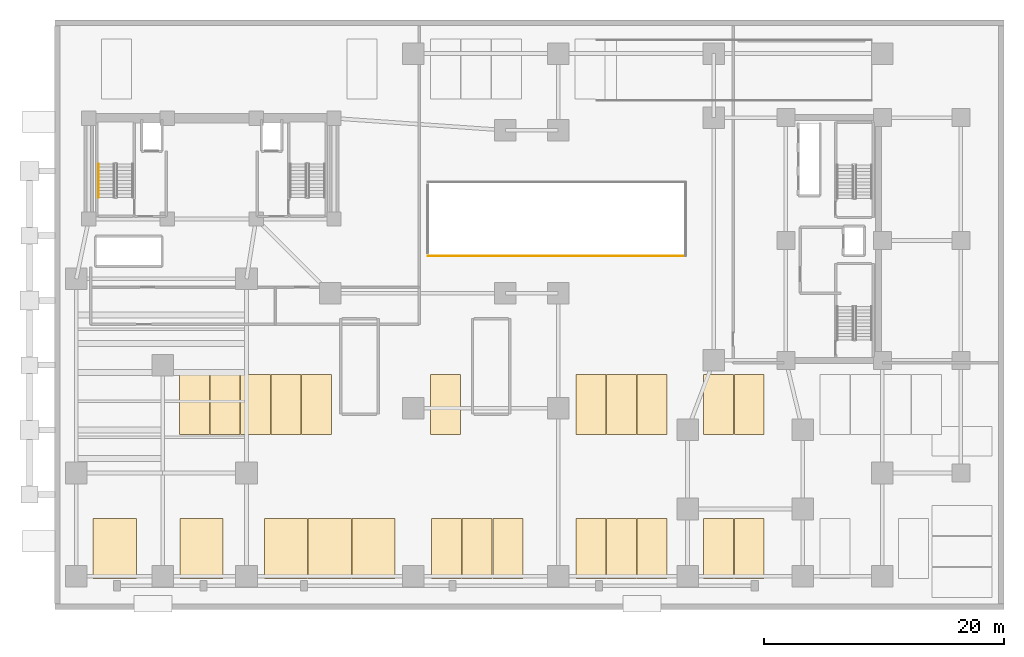
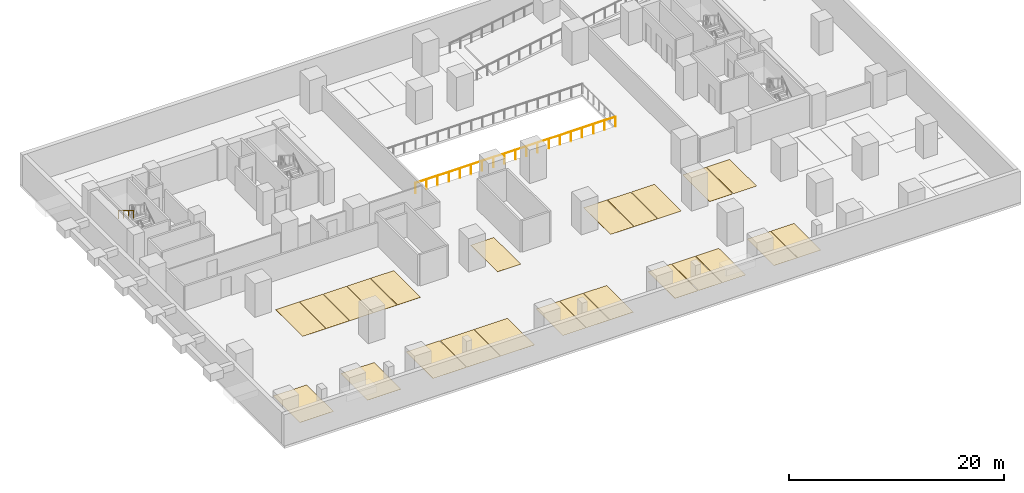
# One storey, part 6 of 9: 24 coverings, 2 railings.
"""IFC4 building model written with IfcOpenShell, lengths in metres."""

from ifc_helpers import new_model, si_unit, direction, frame, origin, origin_2d, place, context, subcontext, project, spatial, polyline, circle, outline, extrude, material, layer, layer_set, type_object, element, save


model = new_model("IFC4")

# Units and contexts
model_context = context("Model", 3, precision=1e-05, world=origin(), true_north=direction((0.0, 1.0)))
body_context = subcontext(model_context, "Body", "Model", "MODEL_VIEW")
ifc_project = project(units=[si_unit("LENGTHUNIT", "METRE"), si_unit("AREAUNIT", "SQUARE_METRE"), si_unit("VOLUMEUNIT", "CUBIC_METRE"), si_unit("PLANEANGLEUNIT", "RADIAN"), si_unit("MASSUNIT", "GRAM", prefix="KILO")], contexts=[model_context])

# Site, building, storey
site_placement = place(None, origin())
site = spatial("IfcSite", under=ifc_project, at=site_placement, CompositionType="ELEMENT")
building_placement = place(site_placement, origin())
building = spatial("IfcBuilding", under=site, at=building_placement, Name="Kuzgunbayir Cultural Tower", CompositionType="ELEMENT")
storey_placement = place(building_placement, frame((0.0, 0.0, -3.800048828125)))
storey = spatial("IfcBuildingStorey", under=building, at=storey_placement, Name="B01", CompositionType="ELEMENT", Elevation=-3.800048828125)

# Coverings
ifc_material_1 = material(Name="Accessible Car Park Bay Coating", Category="finish")
ifc_layer_1 = layer(ifc_material_1, 0.006103515625)
ifc_layer_set_1 = layer_set([ifc_layer_1], Name="Accessible Car Park Bay Coating")
covering_type_1 = type_object("IfcCoveringType", Name="COV-PARK-ACC", PredefinedType="FLOORING", material=ifc_layer_set_1)
covering_1_placement = place(storey_placement, origin())
element("IfcCovering", 1, at=covering_1_placement, inside=storey, type_object=covering_type_1, Name="B01-PA01 Accessible Parking Bay Marking", PredefinedType="FLOORING", context=body_context, shape_type="SweptSolid", body=[
    extrude(outline(polyline([(6.800048828125, 3.800048828125), (10.39990234375, 3.800048828125), (10.39990234375, 8.800048828125), (6.800048828125, 8.800048828125), (6.800048828125, 3.800048828125)])), origin(), (0.0, 0.0, 1.0), 0.010009765625),
])
covering_2_placement = place(storey_placement, origin())
element("IfcCovering", 2, at=covering_2_placement, inside=storey, type_object=covering_type_1, Name="B01-PA02 Accessible Parking Bay Marking", PredefinedType="FLOORING", context=body_context, shape_type="SweptSolid", body=[
    extrude(outline(polyline([(14.050048828125, 3.800048828125), (17.64990234375, 3.800048828125), (17.64990234375, 8.800048828125), (14.050048828125, 8.800048828125), (14.050048828125, 3.800048828125)])), origin(), (0.0, 0.0, 1.0), 0.010009765625),
])
covering_3_placement = place(storey_placement, origin())
element("IfcCovering", 3, at=covering_3_placement, inside=storey, type_object=covering_type_1, Name="B01-PA03 Accessible Parking Bay Marking", PredefinedType="FLOORING", context=body_context, shape_type="SweptSolid", body=[
    extrude(outline(polyline([(21.10009765625, 3.800048828125), (24.699951171875, 3.800048828125), (24.699951171875, 8.800048828125), (21.10009765625, 8.800048828125), (21.10009765625, 3.800048828125)])), origin(), (0.0, 0.0, 1.0), 0.010009765625),
])
covering_4_placement = place(storey_placement, origin())
element("IfcCovering", 4, at=covering_4_placement, inside=storey, type_object=covering_type_1, Name="B01-PA04 Accessible Parking Bay Marking", PredefinedType="FLOORING", context=body_context, shape_type="SweptSolid", body=[
    extrude(outline(polyline([(24.75, 3.800048828125), (28.35009765625, 3.800048828125), (28.35009765625, 8.800048828125), (24.75, 8.800048828125), (24.75, 3.800048828125)])), origin(), (0.0, 0.0, 1.0), 0.010009765625),
])
covering_5_placement = place(storey_placement, origin())
element("IfcCovering", 5, at=covering_5_placement, inside=storey, type_object=covering_type_1, Name="B01-PA05 Accessible Parking Bay Marking", PredefinedType="FLOORING", context=body_context, shape_type="SweptSolid", body=[
    extrude(outline(polyline([(28.39990234375, 3.800048828125), (32.0, 3.800048828125), (32.0, 8.800048828125), (28.39990234375, 8.800048828125), (28.39990234375, 3.800048828125)])), origin(), (0.0, 0.0, 1.0), 0.010009765625),
])
ifc_material_2 = material(Name="Epoxy Car Park Deck Coating", Category="finish")
ifc_layer_2 = layer(ifc_material_2, 0.006103515625)
ifc_layer_set_2 = layer_set([ifc_layer_2], Name="Epoxy Car Park Deck Coating")
covering_type_2 = type_object("IfcCoveringType", Name="COV-PARK-BAY", PredefinedType="FLOORING", material=ifc_layer_set_2)
covering_6_placement = place(storey_placement, origin())
element("IfcCovering", 6, at=covering_6_placement, inside=storey, type_object=covering_type_2, Name="B01-P001 Car Parking Bay Marking", PredefinedType="FLOORING", context=body_context, shape_type="SweptSolid", body=[
    extrude(outline(polyline([(35.050048828125, 3.800048828125), (37.550048828125, 3.800048828125), (37.550048828125, 8.800048828125), (35.050048828125, 8.800048828125), (35.050048828125, 3.800048828125)])), origin(), (0.0, 0.0, 1.0), 0.010009765625),
])
covering_7_placement = place(storey_placement, origin())
element("IfcCovering", 7, at=covering_7_placement, inside=storey, type_object=covering_type_2, Name="B01-P002 Car Parking Bay Marking", PredefinedType="FLOORING", context=body_context, shape_type="SweptSolid", body=[
    extrude(outline(polyline([(37.60009765625, 3.800048828125), (40.10009765625, 3.800048828125), (40.10009765625, 8.800048828125), (37.60009765625, 8.800048828125), (37.60009765625, 3.800048828125)])), origin(), (0.0, 0.0, 1.0), 0.010009765625),
])
covering_8_placement = place(storey_placement, origin())
element("IfcCovering", 8, at=covering_8_placement, inside=storey, type_object=covering_type_2, Name="B01-P003 Car Parking Bay Marking", PredefinedType="FLOORING", context=body_context, shape_type="SweptSolid", body=[
    extrude(outline(polyline([(40.14990234375, 3.800048828125), (42.64990234375, 3.800048828125), (42.64990234375, 8.800048828125), (40.14990234375, 8.800048828125), (40.14990234375, 3.800048828125)])), origin(), (0.0, 0.0, 1.0), 0.010009765625),
])
covering_9_placement = place(storey_placement, origin())
element("IfcCovering", 9, at=covering_9_placement, inside=storey, type_object=covering_type_2, Name="B01-P004 Car Parking Bay Marking", PredefinedType="FLOORING", context=body_context, shape_type="SweptSolid", body=[
    extrude(outline(polyline([(47.10009765625, 3.800048828125), (49.60009765625, 3.800048828125), (49.60009765625, 8.800048828125), (47.10009765625, 8.800048828125), (47.10009765625, 3.800048828125)])), origin(), (0.0, 0.0, 1.0), 0.010009765625),
])
covering_10_placement = place(storey_placement, origin())
element("IfcCovering", 10, at=covering_10_placement, inside=storey, type_object=covering_type_2, Name="B01-P005 Car Parking Bay Marking", PredefinedType="FLOORING", context=body_context, shape_type="SweptSolid", body=[
    extrude(outline(polyline([(49.64990234375, 3.800048828125), (52.14990234375, 3.800048828125), (52.14990234375, 8.800048828125), (49.64990234375, 8.800048828125), (49.64990234375, 3.800048828125)])), origin(), (0.0, 0.0, 1.0), 0.010009765625),
])
covering_11_placement = place(storey_placement, origin())
element("IfcCovering", 11, at=covering_11_placement, inside=storey, type_object=covering_type_2, Name="B01-P006 Car Parking Bay Marking", PredefinedType="FLOORING", context=body_context, shape_type="SweptSolid", body=[
    extrude(outline(polyline([(52.199951171875, 3.800048828125), (54.699951171875, 3.800048828125), (54.699951171875, 8.800048828125), (52.199951171875, 8.800048828125), (52.199951171875, 3.800048828125)])), origin(), (0.0, 0.0, 1.0), 0.010009765625),
])
covering_12_placement = place(storey_placement, origin())
element("IfcCovering", 12, at=covering_12_placement, inside=storey, type_object=covering_type_2, Name="B01-P007 Car Parking Bay Marking", PredefinedType="FLOORING", context=body_context, shape_type="SweptSolid", body=[
    extrude(outline(polyline([(57.75, 3.800048828125), (60.25, 3.800048828125), (60.25, 8.800048828125), (57.75, 8.800048828125), (57.75, 3.800048828125)])), origin(), (0.0, 0.0, 1.0), 0.010009765625),
])
covering_13_placement = place(storey_placement, origin())
element("IfcCovering", 13, at=covering_13_placement, inside=storey, type_object=covering_type_2, Name="B01-P008 Car Parking Bay Marking", PredefinedType="FLOORING", context=body_context, shape_type="SweptSolid", body=[
    extrude(outline(polyline([(60.300048828125, 3.800048828125), (62.800048828125, 3.800048828125), (62.800048828125, 8.800048828125), (60.300048828125, 8.800048828125), (60.300048828125, 3.800048828125)])), origin(), (0.0, 0.0, 1.0), 0.010009765625),
])
covering_14_placement = place(storey_placement, origin())
element("IfcCovering", 14, at=covering_14_placement, inside=storey, type_object=covering_type_2, Name="B01-P011 Car Parking Bay Marking", PredefinedType="FLOORING", context=body_context, shape_type="SweptSolid", body=[
    extrude(outline(polyline([(14.0, 15.800048828125), (16.5, 15.800048828125), (16.5, 20.800048828125), (14.0, 20.800048828125), (14.0, 15.800048828125)])), origin(), (0.0, 0.0, 1.0), 0.010009765625),
])
covering_15_placement = place(storey_placement, origin())
element("IfcCovering", 15, at=covering_15_placement, inside=storey, type_object=covering_type_2, Name="B01-P012 Car Parking Bay Marking", PredefinedType="FLOORING", context=body_context, shape_type="SweptSolid", body=[
    extrude(outline(polyline([(16.550048828125, 15.800048828125), (19.050048828125, 15.800048828125), (19.050048828125, 20.800048828125), (16.550048828125, 20.800048828125), (16.550048828125, 15.800048828125)])), origin(), (0.0, 0.0, 1.0), 0.010009765625),
])
covering_16_placement = place(storey_placement, origin())
element("IfcCovering", 16, at=covering_16_placement, inside=storey, type_object=covering_type_2, Name="B01-P013 Car Parking Bay Marking", PredefinedType="FLOORING", context=body_context, shape_type="SweptSolid", body=[
    extrude(outline(polyline([(19.10009765625, 15.800048828125), (21.60009765625, 15.800048828125), (21.60009765625, 20.800048828125), (19.10009765625, 20.800048828125), (19.10009765625, 15.800048828125)])), origin(), (0.0, 0.0, 1.0), 0.010009765625),
])
covering_17_placement = place(storey_placement, origin())
element("IfcCovering", 17, at=covering_17_placement, inside=storey, type_object=covering_type_2, Name="B01-P014 Car Parking Bay Marking", PredefinedType="FLOORING", context=body_context, shape_type="SweptSolid", body=[
    extrude(outline(polyline([(21.64990234375, 15.800048828125), (24.14990234375, 15.800048828125), (24.14990234375, 20.800048828125), (21.64990234375, 20.800048828125), (21.64990234375, 15.800048828125)])), origin(), (0.0, 0.0, 1.0), 0.010009765625),
])
covering_18_placement = place(storey_placement, origin())
element("IfcCovering", 18, at=covering_18_placement, inside=storey, type_object=covering_type_2, Name="B01-P015 Car Parking Bay Marking", PredefinedType="FLOORING", context=body_context, shape_type="SweptSolid", body=[
    extrude(outline(polyline([(24.199951171875, 15.800048828125), (26.699951171875, 15.800048828125), (26.699951171875, 20.800048828125), (24.199951171875, 20.800048828125), (24.199951171875, 15.800048828125)])), origin(), (0.0, 0.0, 1.0), 0.010009765625),
])
covering_19_placement = place(storey_placement, origin())
element("IfcCovering", 19, at=covering_19_placement, inside=storey, type_object=covering_type_2, Name="B01-P016 Car Parking Bay Marking", PredefinedType="FLOORING", context=body_context, shape_type="SweptSolid", body=[
    extrude(outline(polyline([(34.949951171875, 15.800048828125), (37.449951171875, 15.800048828125), (37.449951171875, 20.800048828125), (34.949951171875, 20.800048828125), (34.949951171875, 15.800048828125)])), origin(), (0.0, 0.0, 1.0), 0.010009765625),
])
covering_20_placement = place(storey_placement, origin())
element("IfcCovering", 20, at=covering_20_placement, inside=storey, type_object=covering_type_2, Name="B01-P017 Car Parking Bay Marking", PredefinedType="FLOORING", context=body_context, shape_type="SweptSolid", body=[
    extrude(outline(polyline([(47.10009765625, 15.800048828125), (49.60009765625, 15.800048828125), (49.60009765625, 20.800048828125), (47.10009765625, 20.800048828125), (47.10009765625, 15.800048828125)])), origin(), (0.0, 0.0, 1.0), 0.010009765625),
])
covering_21_placement = place(storey_placement, origin())
element("IfcCovering", 21, at=covering_21_placement, inside=storey, type_object=covering_type_2, Name="B01-P018 Car Parking Bay Marking", PredefinedType="FLOORING", context=body_context, shape_type="SweptSolid", body=[
    extrude(outline(polyline([(49.64990234375, 15.800048828125), (52.14990234375, 15.800048828125), (52.14990234375, 20.800048828125), (49.64990234375, 20.800048828125), (49.64990234375, 15.800048828125)])), origin(), (0.0, 0.0, 1.0), 0.010009765625),
])
covering_22_placement = place(storey_placement, origin())
element("IfcCovering", 22, at=covering_22_placement, inside=storey, type_object=covering_type_2, Name="B01-P019 Car Parking Bay Marking", PredefinedType="FLOORING", context=body_context, shape_type="SweptSolid", body=[
    extrude(outline(polyline([(52.199951171875, 15.800048828125), (54.699951171875, 15.800048828125), (54.699951171875, 20.800048828125), (52.199951171875, 20.800048828125), (52.199951171875, 15.800048828125)])), origin(), (0.0, 0.0, 1.0), 0.010009765625),
])
covering_23_placement = place(storey_placement, origin())
element("IfcCovering", 23, at=covering_23_placement, inside=storey, type_object=covering_type_2, Name="B01-P020 Car Parking Bay Marking", PredefinedType="FLOORING", context=body_context, shape_type="SweptSolid", body=[
    extrude(outline(polyline([(57.75, 15.800048828125), (60.25, 15.800048828125), (60.25, 20.800048828125), (57.75, 20.800048828125), (57.75, 15.800048828125)])), origin(), (0.0, 0.0, 1.0), 0.010009765625),
])
covering_24_placement = place(storey_placement, origin())
element("IfcCovering", 24, at=covering_24_placement, inside=storey, type_object=covering_type_2, Name="B01-P021 Car Parking Bay Marking", PredefinedType="FLOORING", context=body_context, shape_type="SweptSolid", body=[
    extrude(outline(polyline([(60.300048828125, 15.800048828125), (62.800048828125, 15.800048828125), (62.800048828125, 20.800048828125), (60.300048828125, 20.800048828125), (60.300048828125, 15.800048828125)])), origin(), (0.0, 0.0, 1.0), 0.010009765625),
])

# Railings
ifc_material_3 = material(Name="Brushed Stainless Steel", Category="steel")
ifc_layer_3 = layer(ifc_material_3, 0.050048828125)
ifc_layer_set_3 = layer_set([ifc_layer_3], Name="Brushed Stainless Steel")
railing_type_1 = type_object("IfcRailingType", Name="RLG-STAIR-HANDRAIL", PredefinedType="HANDRAIL", material=ifc_layer_set_3)
railing_1_placement = place(storey_placement, frame((7.25, 38.39990234375, 2.07275390625)))
element("IfcRailing", 25, at=railing_1_placement, inside=storey, type_object=railing_type_1, Name="B01 ST-1 stair handrail 2", PredefinedType="HANDRAIL", context=body_context, shape_type="SweptSolid", body=[
    extrude(circle(Radius=0.02392578125, at=origin_2d()), frame((0.0, 0.0, 0.8759765625), z_axis=(0.0, -0.851069175582, 0.525053576669), x_axis=(1.0, 0.0, 0.0)), (0.0, 0.0, 1.0), 3.289794921875),
    extrude(circle(Radius=0.02099609375, at=origin_2d()), origin(), (0.0, 0.0, 1.0), 0.851806640625),
    extrude(circle(Radius=0.02099609375, at=origin_2d()), frame((0.0, -0.933349609375, 0.57568359375)), (0.0, 0.0, 1.0), 0.851806640625),
    extrude(circle(Radius=0.02099609375, at=origin_2d()), frame((0.0, -1.866455078125, 1.151611328125)), (0.0, 0.0, 1.0), 0.851806640625),
    extrude(circle(Radius=0.02099609375, at=origin_2d()), frame((0.0, -2.7998046875, 1.727294921875)), (0.0, 0.0, 1.0), 0.851806640625),
])
ifc_material_4 = material(Name="Painted Steel Balustrade", Category="steel")
ifc_layer_4 = layer(ifc_material_4, 0.06005859375)
ifc_layer_set_4 = layer_set([ifc_layer_4], Name="Painted Steel Balustrade")
railing_type_2 = type_object("IfcRailingType", Name="RLG-WELL-GUARD", PredefinedType="GUARDRAIL", material=ifc_layer_set_4)
railing_2_placement = place(storey_placement, frame((34.75, 30.719970703125, 0.0)))
element("IfcRailing", 26, at=railing_2_placement, inside=storey, type_object=railing_type_2, Name="B01 Ramp VR-2 South Guard", PredefinedType="GUARDRAIL", context=body_context, shape_type="SweptSolid", body=[
    extrude(circle(Radius=0.02392578125, at=origin_2d()), frame((0.0, 0.0, 1.1259765625), z_axis=(1.0, 0.0, 0.0), x_axis=(0.0, 1.0, 0.0)), (0.0, 0.0, 1.0), 21.5),
    extrude(circle(Radius=0.02099609375, at=origin_2d()), origin(), (0.0, 0.0, 1.0), 1.101806640625),
    extrude(circle(Radius=0.02099609375, at=origin_2d()), frame((1.1943359375, 0.0, 0.0)), (0.0, 0.0, 1.0), 1.101806640625),
    extrude(circle(Radius=0.02099609375, at=origin_2d()), frame((2.388916015625, 0.0, 0.0)), (0.0, 0.0, 1.0), 1.101806640625),
    extrude(circle(Radius=0.02099609375, at=origin_2d()), frame((3.583251953125, 0.0, 0.0)), (0.0, 0.0, 1.0), 1.101806640625),
    extrude(circle(Radius=0.02099609375, at=origin_2d()), frame((4.77783203125, 0.0, 0.0)), (0.0, 0.0, 1.0), 1.101806640625),
    extrude(circle(Radius=0.02099609375, at=origin_2d()), frame((5.97216796875, 0.0, 0.0)), (0.0, 0.0, 1.0), 1.101806640625),
    extrude(circle(Radius=0.02099609375, at=origin_2d()), frame((7.166748046875, 0.0, 0.0)), (0.0, 0.0, 1.0), 1.101806640625),
    extrude(circle(Radius=0.02099609375, at=origin_2d()), frame((8.361083984375, 0.0, 0.0)), (0.0, 0.0, 1.0), 1.101806640625),
    extrude(circle(Radius=0.02099609375, at=origin_2d()), frame((9.5556640625, 0.0, 0.0)), (0.0, 0.0, 1.0), 1.101806640625),
    extrude(circle(Radius=0.02099609375, at=origin_2d()), frame((10.75, 0.0, 0.0)), (0.0, 0.0, 1.0), 1.101806640625),
    extrude(circle(Radius=0.02099609375, at=origin_2d()), frame((11.9443359375, 0.0, 0.0)), (0.0, 0.0, 1.0), 1.101806640625),
    extrude(circle(Radius=0.02099609375, at=origin_2d()), frame((13.138916015625, 0.0, 0.0)), (0.0, 0.0, 1.0), 1.101806640625),
    extrude(circle(Radius=0.02099609375, at=origin_2d()), frame((14.333251953125, 0.0, 0.0)), (0.0, 0.0, 1.0), 1.101806640625),
    extrude(circle(Radius=0.02099609375, at=origin_2d()), frame((15.52783203125, 0.0, 0.0)), (0.0, 0.0, 1.0), 1.101806640625),
    extrude(circle(Radius=0.02099609375, at=origin_2d()), frame((16.72216796875, 0.0, 0.0)), (0.0, 0.0, 1.0), 1.101806640625),
    extrude(circle(Radius=0.02099609375, at=origin_2d()), frame((17.916748046875, 0.0, 0.0)), (0.0, 0.0, 1.0), 1.101806640625),
    extrude(circle(Radius=0.02099609375, at=origin_2d()), frame((19.111083984375, 0.0, 0.0)), (0.0, 0.0, 1.0), 1.101806640625),
    extrude(circle(Radius=0.02099609375, at=origin_2d()), frame((20.3056640625, 0.0, 0.0)), (0.0, 0.0, 1.0), 1.101806640625),
    extrude(circle(Radius=0.02099609375, at=origin_2d()), frame((21.5, 0.0, 0.0)), (0.0, 0.0, 1.0), 1.101806640625),
])

save(model, "model.ifc")
